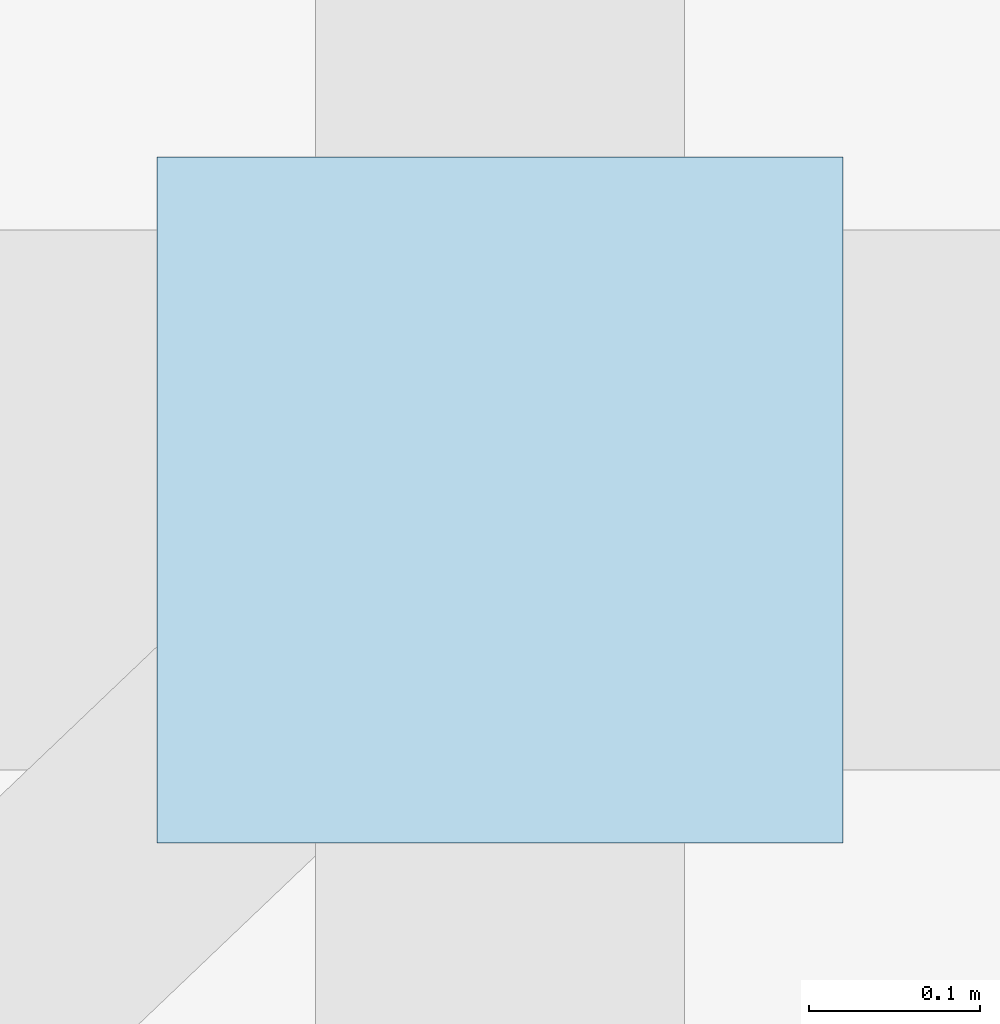
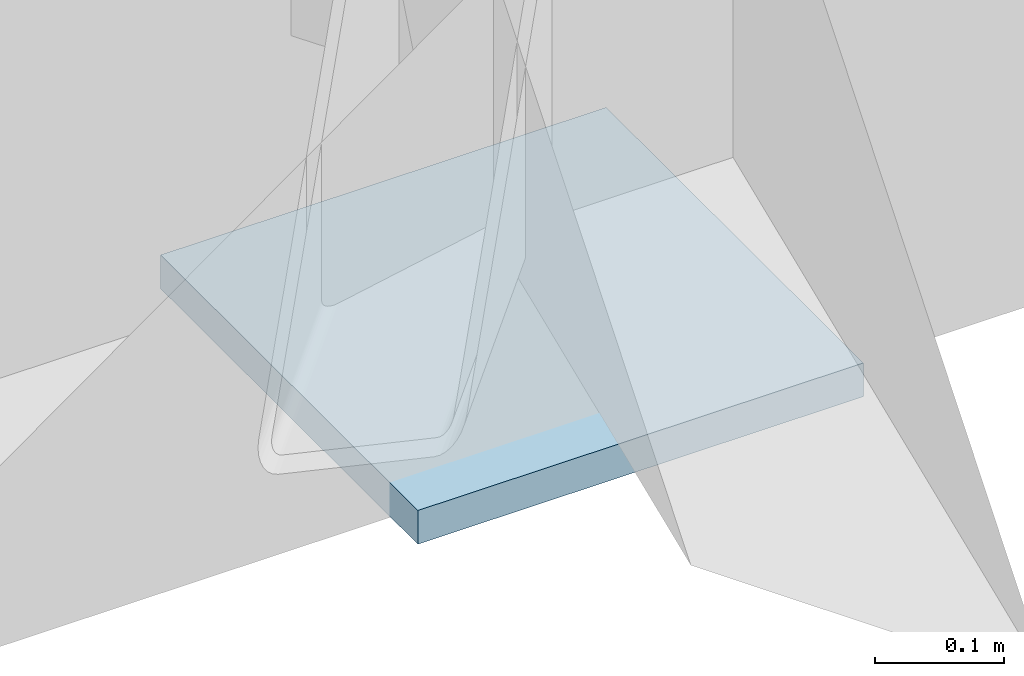
# One storey, part 4 of 5: 1 plate.
"""IFC4 building model written with IfcOpenShell, lengths in metres."""

from ifc_helpers import new_model, si_unit, direction, frame, origin, origin_2d, place, context, subcontext, project, spatial, rectangle, extrude, material, layer, layer_set, type_object, element, save


model = new_model("IFC4")

# Units and contexts
model_context = context("Model", 3, precision=1e-05, world=origin(), true_north=direction((0.0, 1.0)))
body_context = subcontext(model_context, "Body", "Model", "MODEL_VIEW")
ifc_project = project(units=[si_unit("LENGTHUNIT", "METRE"), si_unit("AREAUNIT", "SQUARE_METRE"), si_unit("VOLUMEUNIT", "CUBIC_METRE"), si_unit("PLANEANGLEUNIT", "RADIAN"), si_unit("MASSUNIT", "GRAM", prefix="KILO")], contexts=[model_context])

# Site, building, storey
site_placement = place(None, origin())
site = spatial("IfcSite", under=ifc_project, at=site_placement, CompositionType="ELEMENT")
building_placement = place(site_placement, origin())
building = spatial("IfcBuilding", under=site, at=building_placement, Name="Varncliffe General Hospital", CompositionType="ELEMENT")
storey_placement = place(building_placement, frame((0.0, 0.0, 37.199951171875)))
storey = spatial("IfcBuildingStorey", under=building, at=storey_placement, Name="RF", CompositionType="ELEMENT", Elevation=37.199951171875)

# Plate
ifc_material = material(Name="Steel S355 (CSA G40.21 350W)", Category="steel")
ifc_layer = layer(ifc_material, 0.031982421875)
ifc_layer_set = layer_set([ifc_layer], Name="Steel S355 (CSA G40.21 350W)")
plate_type = type_object("IfcPlateType", Name="Steel Gusset and End Plate GP16 (32mm)", PredefinedType="SHEET", material=ifc_layer_set)
plate_placement = place(storey_placement, frame((126.0, 117.199951171875, 3.08154296875), z_axis=(0.0, 0.0, 1.0), x_axis=(1.0, 0.0, 0.0)))
element("IfcPlate", 1, at=plate_placement, inside=storey, type_object=plate_type, Name="RF RF-V6-NE Lateral Brace Gusset Plate 1", PredefinedType="SHEET", context=body_context, shape_type="SweptSolid", body=[
    extrude(rectangle(XDim=0.39990234375, YDim=0.39990234375, at=origin_2d()), origin(), (0.0, 0.0, 1.0), 0.031982421875),
])

save(model, "model.ifc")
